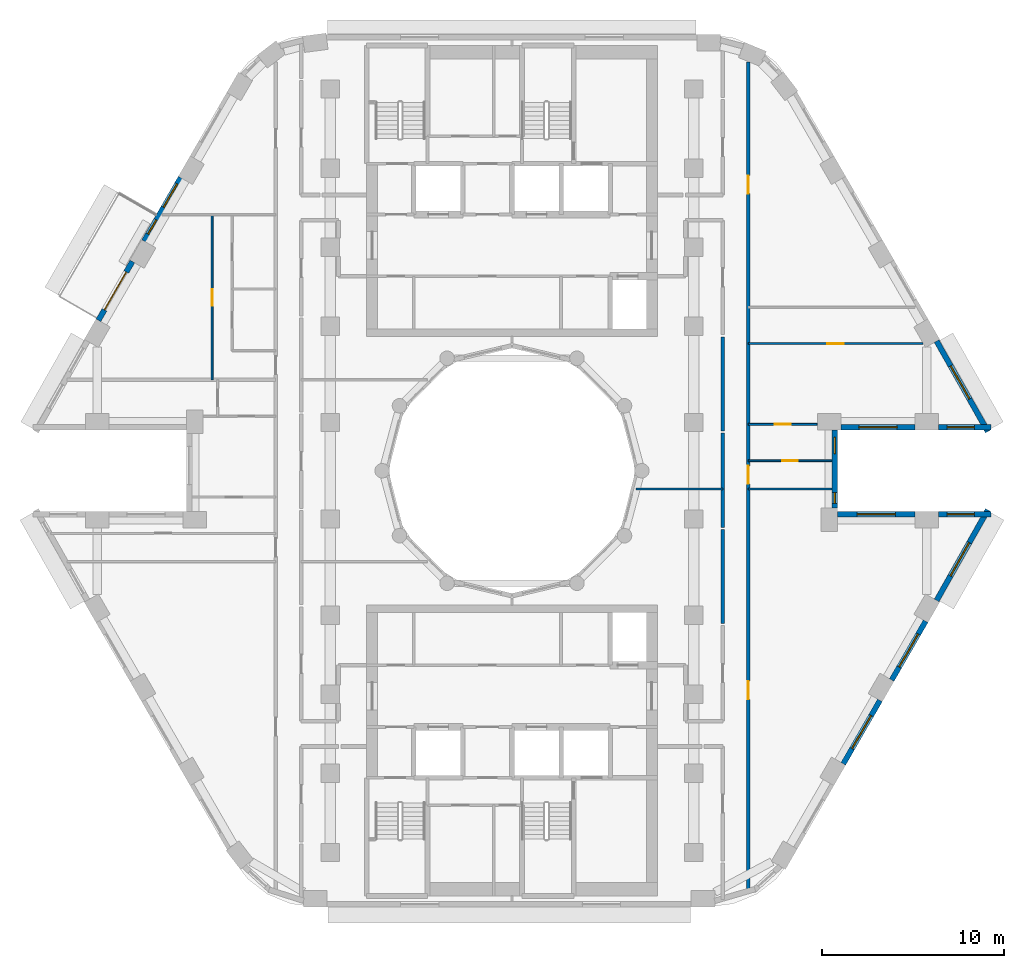
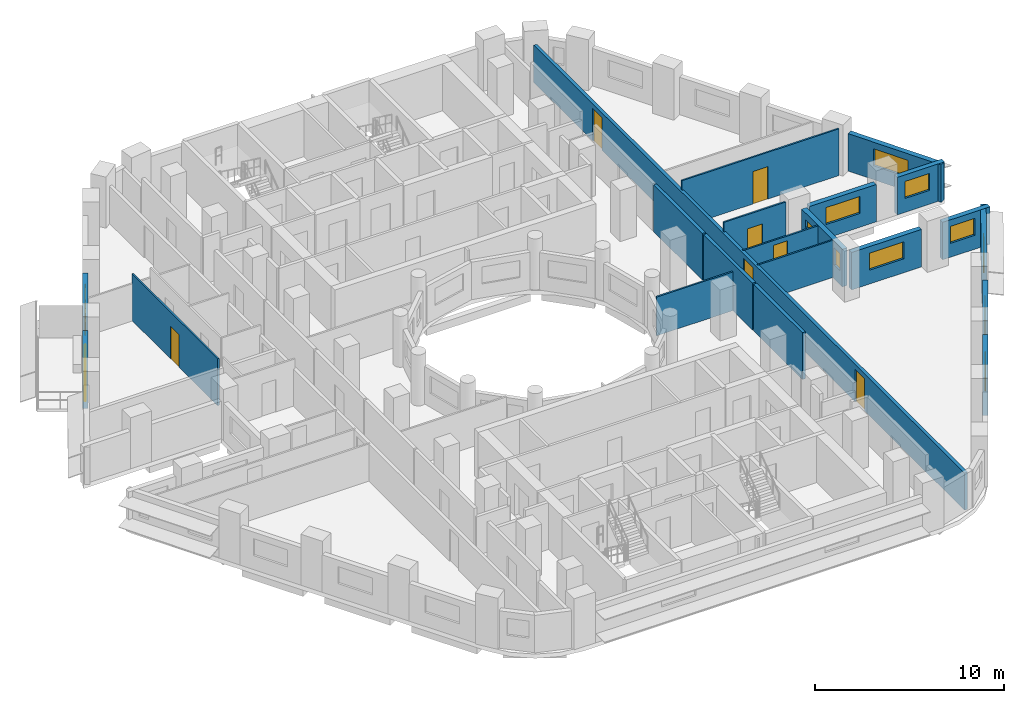
# One storey, part 6 of 13: 21 walls, 12 windows, 8 doors, 20 openings.
"""IFC4 building model written with IfcOpenShell, lengths in metres."""

from ifc_helpers import new_model, si_unit, direction, frame, frame_2d, origin, place, context, subcontext, project, spatial, rectangle, extrude, material, layer, layer_set, type_object, element, fill, save


model = new_model("IFC4")

# Units and contexts
model_context = context("Model", 3, precision=1e-05, world=origin(), true_north=direction((0.0, 1.0)))
body_context = subcontext(model_context, "Body", "Model", "MODEL_VIEW")
ifc_project = project(units=[si_unit("LENGTHUNIT", "METRE"), si_unit("AREAUNIT", "SQUARE_METRE"), si_unit("VOLUMEUNIT", "CUBIC_METRE"), si_unit("PLANEANGLEUNIT", "RADIAN"), si_unit("MASSUNIT", "GRAM", prefix="KILO")], contexts=[model_context])

# Site, building, storey
site_placement = place(None, origin())
site = spatial("IfcSite", under=ifc_project, at=site_placement, CompositionType="ELEMENT")
building_placement = place(site_placement, origin())
building = spatial("IfcBuilding", under=site, at=building_placement, Name="Nakaniwa Court", CompositionType="ELEMENT")
storey_placement = place(building_placement, frame((0.0, 0.0, 153.60009765625)))
storey = spatial("IfcBuildingStorey", under=building, at=storey_placement, Name="L40", CompositionType="ELEMENT", Elevation=153.60009765625)

# Walls
ifc_material_1 = material(Name="Acoustic double stud partition")
ifc_layer_1 = layer(ifc_material_1, 0.199951171875)
ifc_layer_set_1 = layer_set([ifc_layer_1], Name="Acoustic double stud partition")
wall_type_1 = type_object("IfcWallType", Name="Acoustic double stud partition 200", PredefinedType="PARTITIONING", material=ifc_layer_set_1)
for number, where, z_axis, x_axis, name in (
    (1, (91.60009765625, 71.587158203125, 0.0), (0.0, 0.0, 1.0), (0.0, 1.0, 0.0), "Partition PW-070"),
    (2, (91.60009765625, 76.88720703125, 0.0), (0.0, 0.0, 1.0), (0.0, 1.0, 0.0), "Partition PW-071"),
    (3, (91.60009765625, 82.187255859375, 0.0), (0.0, 0.0, 1.0), (0.0, 1.0, 0.0), "Partition PW-072"),
):
    element("IfcWall", number, at=place(storey_placement, frame(where, z_axis=z_axis, x_axis=x_axis)), inside=storey, type_object=wall_type_1, Name=name, PredefinedType="PARTITIONING", context=body_context, shape_type="SweptSolid", body=[
        extrude(rectangle(XDim=5.185546875, YDim=0.199951171875, at=frame_2d((2.5927734375, 0.0))), origin(), (0.0, 0.0, 1.0), 3.02490234375),
    ])

# Wall, openings, doors
wall_1_placement = place(storey_placement, frame((93.0, 102.498046875, 0.0), z_axis=(0.0, 0.0, 1.0), x_axis=(0.0, -1.0, 0.0)))
wall_1 = element("IfcWall", 4, at=wall_1_placement, inside=storey, type_object=wall_type_1, Name="Partition PW-080", PredefinedType="PARTITIONING", context=body_context, shape_type="SweptSolid", body=[
    extrude(rectangle(XDim=45.664794921875, YDim=0.199951171875, at=frame_2d((22.83251953125, 0.0))), origin(), (0.0, 0.0, 1.0), 2.40478515625),
])
opening_1_placement = place(wall_1_placement, frame((34.0810546875, 0.0, 0.0)))
opening_1 = element("IfcOpeningElement", 5, at=opening_1_placement, cuts=wall_1, Name="Opening D-02-02", PredefinedType="OPENING", context=body_context, shape_type="SweptSolid", body=[
    extrude(rectangle(XDim=1.0, YDim=2.10009765625, at=frame_2d((0.5, 1.050048828125))), frame((0.0, 0.10986328125, 0.0), z_axis=(0.0, -1.0, 0.0), x_axis=(1.0, 0.0, 0.0)), (0.0, 0.0, 1.0), 0.219970703125),
])
opening_2_placement = place(wall_1_placement, frame((22.222900390625, 0.0, 0.0)))
opening_2 = element("IfcOpeningElement", 6, at=opening_2_placement, cuts=wall_1, Name="Opening D-01-01", PredefinedType="OPENING", context=body_context, shape_type="SweptSolid", body=[
    extrude(rectangle(XDim=1.0, YDim=2.10009765625, at=frame_2d((0.5, 1.050048828125))), frame((0.0, 0.10986328125, 0.0), z_axis=(0.0, -1.0, 0.0), x_axis=(1.0, 0.0, 0.0)), (0.0, 0.0, 1.0), 0.219970703125),
])
opening_3_placement = place(wall_1_placement, frame((6.2509765625, 0.0, 0.0)))
opening_3 = element("IfcOpeningElement", 7, at=opening_3_placement, cuts=wall_1, Name="Opening D-02-04", PredefinedType="OPENING", context=body_context, shape_type="SweptSolid", body=[
    extrude(rectangle(XDim=1.0, YDim=2.10009765625, at=frame_2d((0.5, 1.050048828125))), frame((0.0, 0.10986328125, 0.0), z_axis=(0.0, -1.0, 0.0), x_axis=(1.0, 0.0, 0.0)), (0.0, 0.0, 1.0), 0.219970703125),
])
ifc_material_2 = material(Name="Solid core timber door set, black veneer", Category="wood")
door_type_1 = type_object("IfcDoorType", Name="Flat entrance door 1000", OperationType="NOTDEFINED", PredefinedType="DOOR", material=ifc_material_2)
door_1_placement = place(opening_2_placement, origin())
door_1 = element("IfcDoor", 8, at=door_1_placement, inside=storey, type_object=door_type_1, Name="Door D-01-01 L40-026", OperationType="SINGLE_SWING_LEFT", OverallHeight=2.10009765625, OverallWidth=1.0, PredefinedType="DOOR", context=body_context, shape_type="SweptSolid", body=[
    extrude(rectangle(XDim=1.0, YDim=2.10009765625, at=frame_2d((0.5, 1.050048828125))), frame((0.0, 0.02490234375, 0.0), z_axis=(0.0, -1.0, 0.0), x_axis=(1.0, 0.0, 0.0)), (0.0, 0.0, 1.0), 0.050048828125),
])
fill(opening_2, door_1)
door_type_2 = type_object("IfcDoorType", Name="Internal door 1000", OperationType="NOTDEFINED", PredefinedType="DOOR", material=ifc_material_2)
door_2_placement = place(opening_1_placement, origin())
door_2 = element("IfcDoor", 9, at=door_2_placement, inside=storey, type_object=door_type_2, Name="Door D-02-02 L40-024", OperationType="SINGLE_SWING_LEFT", OverallHeight=2.10009765625, OverallWidth=1.0, PredefinedType="DOOR", context=body_context, shape_type="SweptSolid", body=[
    extrude(rectangle(XDim=1.0, YDim=2.10009765625, at=frame_2d((0.5, 1.050048828125))), frame((0.0, 0.02490234375, 0.0), z_axis=(0.0, -1.0, 0.0), x_axis=(1.0, 0.0, 0.0)), (0.0, 0.0, 1.0), 0.050048828125),
])
fill(opening_1, door_2)
door_3_placement = place(opening_3_placement, origin())
door_3 = element("IfcDoor", 10, at=door_3_placement, inside=storey, type_object=door_type_2, Name="Door D-02-04 L40-030", OperationType="SINGLE_SWING_LEFT", OverallHeight=2.10009765625, OverallWidth=1.0, PredefinedType="DOOR", context=body_context, shape_type="SweptSolid", body=[
    extrude(rectangle(XDim=1.0, YDim=2.10009765625, at=frame_2d((0.5, 1.050048828125))), frame((0.0, 0.02490234375, 0.0), z_axis=(0.0, -1.0, 0.0), x_axis=(1.0, 0.0, 0.0)), (0.0, 0.0, 1.0), 0.050048828125),
])
fill(opening_3, door_3)

# Wall, opening, window
ifc_material_3 = material(Name="Charcoal ceramic cladding")
ifc_layer_2 = layer(ifc_material_3, 0.02, Name="Ceramic cladding")
ifc_material_4 = material(Name="Ventilated air cavity")
ifc_layer_3 = layer(ifc_material_4, 0.04, ventilated=True, Name="Ventilated cavity")
ifc_material_5 = material(Name="Mineral wool insulation")
ifc_layer_4 = layer(ifc_material_5, 0.1, Name="Insulation")
ifc_material_6 = material(Name="Cement bonded sheathing board")
ifc_layer_5 = layer(ifc_material_6, 0.012, Name="Sheathing")
ifc_material_7 = material(Name="Cold-formed galvanised stud frame with mineral wool infill")
ifc_layer_6 = layer(ifc_material_7, 0.1, Name="Stud frame")
ifc_material_8 = material(Name="Fire-rated gypsum plasterboard lining")
ifc_layer_7 = layer(ifc_material_8, 0.028, Name="Lining")
ifc_layer_set_2 = layer_set([ifc_layer_2, ifc_layer_3, ifc_layer_4, ifc_layer_5, ifc_layer_6, ifc_layer_7], Name="Charcoal ceramic faced external wall system")
wall_type_2 = type_object("IfcWallType", Name="Black ceramic faced external wall 300", PredefinedType="SOLIDWALL", material=ifc_layer_set_2)
wall_2_placement = place(storey_placement, frame((98.1044921875, 82.39990234375, 0.0), z_axis=(0.0, 0.0, 1.0), x_axis=(1.0, 0.0, 0.0)))
wall_2 = element("IfcWall", 11, at=wall_2_placement, inside=storey, type_object=wall_type_2, Name="L40 external wall 00", PredefinedType="SOLIDWALL", context=body_context, shape_type="SweptSolid", body=[
    extrude(rectangle(XDim=4.072509765625, YDim=0.300048828125, at=frame_2d((2.0361328125, 0.0))), origin(), (0.0, 0.0, 1.0), 2.4248046875),
])
opening_4_placement = place(wall_2_placement, frame((0.986083984375, 0.0, 0.89990234375)))
opening_4 = element("IfcOpeningElement", 12, at=opening_4_placement, cuts=wall_2, Name="Opening W7.01", PredefinedType="OPENING", context=body_context, shape_type="SweptSolid", body=[
    extrude(rectangle(XDim=2.10009765625, YDim=1.10009765625, at=frame_2d((1.050048828125, 0.550048828125))), frame((0.0, 0.159912109375, 0.0), z_axis=(0.0, -1.0, 0.0), x_axis=(1.0, 0.0, 0.0)), (0.0, 0.0, 1.0), 0.320068359375),
])
ifc_material_9 = material(Name="Black anodised aluminium frame with dark low-E laminated double glazing", Category="aluminium")
window_type_1 = type_object("IfcWindowType", Name="Dark glass window 2100x1100 sill 900", PartitioningType="SINGLE_PANEL", PredefinedType="WINDOW", material=ifc_material_9)
window_1_placement = place(opening_4_placement, origin())
window_1 = element("IfcWindow", 13, at=window_1_placement, inside=storey, type_object=window_type_1, Name="L40 living window 00-0", OverallHeight=1.10009765625, OverallWidth=2.10009765625, PartitioningType="SINGLE_PANEL", PredefinedType="WINDOW", context=body_context, shape_type="SweptSolid", body=[
    extrude(rectangle(XDim=2.10009765625, YDim=1.10009765625, at=frame_2d((1.050048828125, 0.550048828125))), frame((0.0, 0.030029296875, 0.0), z_axis=(0.0, -1.0, 0.0), x_axis=(1.0, 0.0, 0.0)), (0.0, 0.0, 1.0), 0.06005859375),
])
fill(opening_4, window_1)

wall_3_placement = place(storey_placement, frame((103.468994140625, 82.39990234375, 0.0), z_axis=(0.0, 0.0, 1.0), x_axis=(1.0, 0.0, 0.0)))
wall_3 = element("IfcWall", 14, at=wall_3_placement, inside=storey, type_object=wall_type_2, Name="L40 external wall 01", PredefinedType="SOLIDWALL", context=body_context, shape_type="SweptSolid", body=[
    extrude(rectangle(XDim=2.8876953125, YDim=0.300048828125, at=frame_2d((1.44384765625, 0.0))), origin(), (0.0, 0.0, 1.0), 2.4248046875),
])
opening_5_placement = place(wall_3_placement, frame((0.46875, 0.0, 0.89990234375)))
opening_5 = element("IfcOpeningElement", 15, at=opening_5_placement, cuts=wall_3, Name="Opening W5.02", PredefinedType="OPENING", context=body_context, shape_type="SweptSolid", body=[
    extrude(rectangle(XDim=1.5, YDim=1.10009765625, at=frame_2d((0.75, 0.550048828125))), frame((0.0, 0.159912109375, 0.0), z_axis=(0.0, -1.0, 0.0), x_axis=(1.0, 0.0, 0.0)), (0.0, 0.0, 1.0), 0.320068359375),
])
window_type_2 = type_object("IfcWindowType", Name="Dark glass window 1500x1100 sill 900", PartitioningType="SINGLE_PANEL", PredefinedType="WINDOW", material=ifc_material_9)
window_2_placement = place(opening_5_placement, origin())
window_2 = element("IfcWindow", 16, at=window_2_placement, inside=storey, type_object=window_type_2, Name="L40 living window 01-0", OverallHeight=1.10009765625, OverallWidth=1.5, PartitioningType="SINGLE_PANEL", PredefinedType="WINDOW", context=body_context, shape_type="SweptSolid", body=[
    extrude(rectangle(XDim=1.5, YDim=1.10009765625, at=frame_2d((0.75, 0.550048828125))), frame((0.0, 0.030029296875, 0.0), z_axis=(0.0, -1.0, 0.0), x_axis=(1.0, 0.0, 0.0)), (0.0, 0.0, 1.0), 0.06005859375),
])
fill(opening_5, window_2)

wall_4_placement = place(storey_placement, frame((106.18603515625, 82.1533203125, 0.0), z_axis=(0.0, 0.0, 1.0), x_axis=(-0.492498306264, 0.87031340236, 0.0)))
wall_4 = element("IfcWall", 17, at=wall_4_placement, inside=storey, type_object=wall_type_2, Name="L40 external wall 02", PredefinedType="SOLIDWALL", context=body_context, shape_type="SweptSolid", body=[
    extrude(rectangle(XDim=5.7265625, YDim=0.300048828125, at=frame_2d((2.86328125, 0.0))), origin(), (0.0, 0.0, 1.0), 2.4248046875),
])
opening_6_placement = place(wall_4_placement, frame((2.05859375, 0.0, 0.89990234375)))
opening_6 = element("IfcOpeningElement", 18, at=opening_6_placement, cuts=wall_4, Name="Opening W7.03", PredefinedType="OPENING", context=body_context, shape_type="SweptSolid", body=[
    extrude(rectangle(XDim=2.10009765625, YDim=1.10009765625, at=frame_2d((1.050048828125, 0.550048828125))), frame((0.0, 0.159912109375, 0.0), z_axis=(0.0, -1.0, 0.0), x_axis=(1.0, 0.0, 0.0)), (0.0, 0.0, 1.0), 0.320068359375),
])
window_3_placement = place(opening_6_placement, origin())
window_3 = element("IfcWindow", 19, at=window_3_placement, inside=storey, type_object=window_type_1, Name="L40 living window 02-0", OverallHeight=1.10009765625, OverallWidth=2.10009765625, PartitioningType="SINGLE_PANEL", PredefinedType="WINDOW", context=body_context, shape_type="SweptSolid", body=[
    extrude(rectangle(XDim=2.10009765625, YDim=1.10009765625, at=frame_2d((1.050048828125, 0.550048828125))), frame((0.0, 0.030029296875, 0.0), z_axis=(0.0, -1.0, 0.0), x_axis=(1.0, 0.0, 0.0)), (0.0, 0.0, 1.0), 0.06005859375),
])
fill(opening_6, window_3)

# Wall, openings, windows
wall_5_placement = place(storey_placement, frame((61.771728515625, 96.127685546875, 0.0), z_axis=(0.0, 0.0, 1.0), x_axis=(-0.500031546601, -0.86600718958, 0.0)))
wall_5 = element("IfcWall", 20, at=wall_5_placement, inside=storey, type_object=wall_type_2, Name="L40 external wall 12", PredefinedType="SOLIDWALL", context=body_context, shape_type="SweptSolid", body=[
    extrude(rectangle(XDim=4.033935546875, YDim=0.300048828125, at=frame_2d((2.01708984375, 0.0))), origin(), (0.0, 0.0, 1.0), 2.4248046875),
])
opening_7_placement = place(wall_5_placement, frame((0.393798828125, 0.0, 0.89990234375)))
opening_7 = element("IfcOpeningElement", 21, at=opening_7_placement, cuts=wall_5, Name="Opening W5.12", PredefinedType="OPENING", context=body_context, shape_type="SweptSolid", body=[
    extrude(rectangle(XDim=1.5, YDim=1.10009765625, at=frame_2d((0.75, 0.550048828125))), frame((0.0, 0.159912109375, 0.0), z_axis=(0.0, -1.0, 0.0), x_axis=(1.0, 0.0, 0.0)), (0.0, 0.0, 1.0), 0.320068359375),
])
opening_8_placement = place(wall_5_placement, frame((2.686279296875, 0.0, 0.89990234375)))
opening_8 = element("IfcOpeningElement", 22, at=opening_8_placement, cuts=wall_5, Name="Opening W9.13", PredefinedType="OPENING", context=body_context, shape_type="SweptSolid", body=[
    extrude(rectangle(XDim=0.89990234375, YDim=1.10009765625, at=frame_2d((0.449951171875, 0.550048828125))), frame((0.0, 0.159912109375, 0.0), z_axis=(0.0, -1.0, 0.0), x_axis=(1.0, 0.0, 0.0)), (0.0, 0.0, 1.0), 0.320068359375),
])
window_4_placement = place(opening_7_placement, origin())
window_4 = element("IfcWindow", 23, at=window_4_placement, inside=storey, type_object=window_type_2, Name="L40 habitable room window 12-0", OverallHeight=1.10009765625, OverallWidth=1.5, PartitioningType="SINGLE_PANEL", PredefinedType="WINDOW", context=body_context, shape_type="SweptSolid", body=[
    extrude(rectangle(XDim=1.5, YDim=1.10009765625, at=frame_2d((0.75, 0.550048828125))), frame((0.0, 0.030029296875, 0.0), z_axis=(0.0, -1.0, 0.0), x_axis=(1.0, 0.0, 0.0)), (0.0, 0.0, 1.0), 0.06005859375),
])
fill(opening_7, window_4)
window_type_3 = type_object("IfcWindowType", Name="Dark glass window 900x1100 sill 900", PartitioningType="SINGLE_PANEL", PredefinedType="WINDOW", material=ifc_material_9)
window_5_placement = place(opening_8_placement, origin())
window_5 = element("IfcWindow", 24, at=window_5_placement, inside=storey, type_object=window_type_3, Name="L40 living window 12-1", OverallHeight=1.10009765625, OverallWidth=0.89990234375, PartitioningType="SINGLE_PANEL", PredefinedType="WINDOW", context=body_context, shape_type="SweptSolid", body=[
    extrude(rectangle(XDim=0.89990234375, YDim=1.10009765625, at=frame_2d((0.449951171875, 0.550048828125))), frame((0.0, 0.030029296875, 0.0), z_axis=(0.0, -1.0, 0.0), x_axis=(1.0, 0.0, 0.0)), (0.0, 0.0, 1.0), 0.06005859375),
])
fill(opening_8, window_5)

# Wall, opening, door
wall_6_placement = place(storey_placement, frame((59.108642578125, 91.515380859375, 0.0), z_axis=(0.0, 0.0, 1.0), x_axis=(-0.499933594891, -0.866063739398, 0.0)))
wall_6 = element("IfcWall", 25, at=wall_6_placement, inside=storey, type_object=wall_type_2, Name="L40 external wall 13", PredefinedType="SOLIDWALL", context=body_context, shape_type="SweptSolid", body=[
    extrude(rectangle(XDim=3.73681640625, YDim=0.300048828125, at=frame_2d((1.868408203125, 0.0))), origin(), (0.0, 0.0, 1.0), 2.4248046875),
])
opening_9_placement = place(wall_6_placement, frame((0.66845703125, 0.0, 0.0)))
opening_9 = element("IfcOpeningElement", 26, at=opening_9_placement, cuts=wall_6, Name="Opening XD13.01", PredefinedType="OPENING", context=body_context, shape_type="SweptSolid", body=[
    extrude(rectangle(XDim=2.39990234375, YDim=2.0, at=frame_2d((1.199951171875, 1.0))), frame((0.0, 0.159912109375, 0.0), z_axis=(0.0, -1.0, 0.0), x_axis=(1.0, 0.0, 0.0)), (0.0, 0.0, 1.0), 0.320068359375),
])
ifc_material_10 = material(Name="Black powder-coated aluminium frame with dark laminated glass", Category="aluminium")
door_type_3 = type_object("IfcDoorType", Name="Balcony sliding door 2400x2000", OperationType="DOUBLE_DOOR_SLIDING", PredefinedType="DOOR", material=ifc_material_10)
door_4_placement = place(opening_9_placement, origin())
door_4 = element("IfcDoor", 27, at=door_4_placement, inside=storey, type_object=door_type_3, Name="L40 balcony sliding door 01", OperationType="DOUBLE_DOOR_SLIDING", OverallHeight=2.0, OverallWidth=2.39990234375, PredefinedType="DOOR", context=body_context, shape_type="SweptSolid", body=[
    extrude(rectangle(XDim=2.39990234375, YDim=2.0, at=frame_2d((1.199951171875, 1.0))), frame((0.0, 0.02490234375, 0.0), z_axis=(0.0, -1.0, 0.0), x_axis=(1.0, 0.0, 0.0)), (0.0, 0.0, 1.0), 0.050048828125),
])
fill(opening_9, door_4)

# Wall, opening, window
wall_7_placement = place(storey_placement, frame((98.228271484375, 63.872314453125, 0.0), z_axis=(0.0, 0.0, 1.0), x_axis=(0.500031546601, 0.86600718958, 0.0)))
wall_7 = element("IfcWall", 28, at=wall_7_placement, inside=storey, type_object=wall_type_2, Name="L40 external wall 30", PredefinedType="SOLIDWALL", context=body_context, shape_type="SweptSolid", body=[
    extrude(rectangle(XDim=4.033935546875, YDim=0.300048828125, at=frame_2d((2.01708984375, 0.0))), origin(), (0.0, 0.0, 1.0), 2.4248046875),
])
opening_10_placement = place(wall_7_placement, frame((0.967041015625, 0.0, 0.89990234375)))
opening_10 = element("IfcOpeningElement", 29, at=opening_10_placement, cuts=wall_7, Name="Opening W7.29", PredefinedType="OPENING", context=body_context, shape_type="SweptSolid", body=[
    extrude(rectangle(XDim=2.10009765625, YDim=1.10009765625, at=frame_2d((1.050048828125, 0.550048828125))), frame((0.0, 0.159912109375, 0.0), z_axis=(0.0, -1.0, 0.0), x_axis=(1.0, 0.0, 0.0)), (0.0, 0.0, 1.0), 0.320068359375),
])
window_6_placement = place(opening_10_placement, origin())
window_6 = element("IfcWindow", 30, at=window_6_placement, inside=storey, type_object=window_type_1, Name="L40 habitable room window 30-0", OverallHeight=1.10009765625, OverallWidth=2.10009765625, PartitioningType="SINGLE_PANEL", PredefinedType="WINDOW", context=body_context, shape_type="SweptSolid", body=[
    extrude(rectangle(XDim=2.10009765625, YDim=1.10009765625, at=frame_2d((1.050048828125, 0.550048828125))), frame((0.0, 0.030029296875, 0.0), z_axis=(0.0, -1.0, 0.0), x_axis=(1.0, 0.0, 0.0)), (0.0, 0.0, 1.0), 0.06005859375),
])
fill(opening_10, window_6)

wall_8_placement = place(storey_placement, frame((100.891357421875, 68.484619140625, 0.0), z_axis=(0.0, 0.0, 1.0), x_axis=(0.499933594891, 0.866063739398, 0.0)))
wall_8 = element("IfcWall", 31, at=wall_8_placement, inside=storey, type_object=wall_type_2, Name="L40 external wall 31", PredefinedType="SOLIDWALL", context=body_context, shape_type="SweptSolid", body=[
    extrude(rectangle(XDim=3.73681640625, YDim=0.300048828125, at=frame_2d((1.868408203125, 0.0))), origin(), (0.0, 0.0, 1.0), 2.4248046875),
])
opening_11_placement = place(wall_8_placement, frame((0.818359375, 0.0, 0.89990234375)))
opening_11 = element("IfcOpeningElement", 32, at=opening_11_placement, cuts=wall_8, Name="Opening W7.30", PredefinedType="OPENING", context=body_context, shape_type="SweptSolid", body=[
    extrude(rectangle(XDim=2.10009765625, YDim=1.10009765625, at=frame_2d((1.050048828125, 0.550048828125))), frame((0.0, 0.159912109375, 0.0), z_axis=(0.0, -1.0, 0.0), x_axis=(1.0, 0.0, 0.0)), (0.0, 0.0, 1.0), 0.320068359375),
])
window_7_placement = place(opening_11_placement, origin())
window_7 = element("IfcWindow", 33, at=window_7_placement, inside=storey, type_object=window_type_1, Name="L40 habitable room window 31-0", OverallHeight=1.10009765625, OverallWidth=2.10009765625, PartitioningType="SINGLE_PANEL", PredefinedType="WINDOW", context=body_context, shape_type="SweptSolid", body=[
    extrude(rectangle(XDim=2.10009765625, YDim=1.10009765625, at=frame_2d((1.050048828125, 0.550048828125))), frame((0.0, 0.030029296875, 0.0), z_axis=(0.0, -1.0, 0.0), x_axis=(1.0, 0.0, 0.0)), (0.0, 0.0, 1.0), 0.06005859375),
])
fill(opening_11, window_7)

wall_9_placement = place(storey_placement, frame((103.36572265625, 72.86279296875, 0.0), z_axis=(0.0, 0.0, 1.0), x_axis=(0.492498306264, 0.87031340236, 0.0)))
wall_9 = element("IfcWall", 34, at=wall_9_placement, inside=storey, type_object=wall_type_2, Name="L40 external wall 32", PredefinedType="SOLIDWALL", context=body_context, shape_type="SweptSolid", body=[
    extrude(rectangle(XDim=5.7265625, YDim=0.300048828125, at=frame_2d((2.86328125, 0.0))), origin(), (0.0, 0.0, 1.0), 2.4248046875),
])
opening_12_placement = place(wall_9_placement, frame((1.550048828125, 0.0, 0.89990234375)))
opening_12 = element("IfcOpeningElement", 35, at=opening_12_placement, cuts=wall_9, Name="Opening W7.31", PredefinedType="OPENING", context=body_context, shape_type="SweptSolid", body=[
    extrude(rectangle(XDim=2.10009765625, YDim=1.10009765625, at=frame_2d((1.050048828125, 0.550048828125))), frame((0.0, 0.159912109375, 0.0), z_axis=(0.0, -1.0, 0.0), x_axis=(1.0, 0.0, 0.0)), (0.0, 0.0, 1.0), 0.320068359375),
])
window_8_placement = place(opening_12_placement, origin())
window_8 = element("IfcWindow", 36, at=window_8_placement, inside=storey, type_object=window_type_1, Name="L40 habitable room window 32-0", OverallHeight=1.10009765625, OverallWidth=2.10009765625, PartitioningType="SINGLE_PANEL", PredefinedType="WINDOW", context=body_context, shape_type="SweptSolid", body=[
    extrude(rectangle(XDim=2.10009765625, YDim=1.10009765625, at=frame_2d((1.050048828125, 0.550048828125))), frame((0.0, 0.030029296875, 0.0), z_axis=(0.0, -1.0, 0.0), x_axis=(1.0, 0.0, 0.0)), (0.0, 0.0, 1.0), 0.06005859375),
])
fill(opening_12, window_8)

wall_10_placement = place(storey_placement, frame((106.356689453125, 77.60009765625, 0.0), z_axis=(0.0, 0.0, 1.0), x_axis=(-1.0, 0.0, 0.0)))
wall_10 = element("IfcWall", 37, at=wall_10_placement, inside=storey, type_object=wall_type_2, Name="L40 external wall 33", PredefinedType="SOLIDWALL", context=body_context, shape_type="SweptSolid", body=[
    extrude(rectangle(XDim=2.8876953125, YDim=0.300048828125, at=frame_2d((1.44384765625, 0.0))), origin(), (0.0, 0.0, 1.0), 2.4248046875),
])
opening_13_placement = place(wall_10_placement, frame((0.9189453125, 0.0, 0.89990234375)))
opening_13 = element("IfcOpeningElement", 38, at=opening_13_placement, cuts=wall_10, Name="Opening W5.32", PredefinedType="OPENING", context=body_context, shape_type="SweptSolid", body=[
    extrude(rectangle(XDim=1.5, YDim=1.10009765625, at=frame_2d((0.75, 0.550048828125))), frame((0.0, 0.159912109375, 0.0), z_axis=(0.0, -1.0, 0.0), x_axis=(1.0, 0.0, 0.0)), (0.0, 0.0, 1.0), 0.320068359375),
])
window_9_placement = place(opening_13_placement, origin())
window_9 = element("IfcWindow", 39, at=window_9_placement, inside=storey, type_object=window_type_2, Name="L40 habitable room window 33-0", OverallHeight=1.10009765625, OverallWidth=1.5, PartitioningType="SINGLE_PANEL", PredefinedType="WINDOW", context=body_context, shape_type="SweptSolid", body=[
    extrude(rectangle(XDim=1.5, YDim=1.10009765625, at=frame_2d((0.75, 0.550048828125))), frame((0.0, 0.030029296875, 0.0), z_axis=(0.0, -1.0, 0.0), x_axis=(1.0, 0.0, 0.0)), (0.0, 0.0, 1.0), 0.06005859375),
])
fill(opening_13, window_9)

wall_11_placement = place(storey_placement, frame((102.177001953125, 77.60009765625, 0.0), z_axis=(0.0, 0.0, 1.0), x_axis=(-1.0, 0.0, 0.0)))
wall_11 = element("IfcWall", 40, at=wall_11_placement, inside=storey, type_object=wall_type_2, Name="L40 external wall 34", PredefinedType="SOLIDWALL", context=body_context, shape_type="SweptSolid", body=[
    extrude(rectangle(XDim=4.272705078125, YDim=0.300048828125, at=frame_2d((2.13623046875, 0.0))), origin(), (0.0, 0.0, 1.0), 2.4248046875),
])
opening_14_placement = place(wall_11_placement, frame((1.086181640625, 0.0, 0.89990234375)))
opening_14 = element("IfcOpeningElement", 41, at=opening_14_placement, cuts=wall_11, Name="Opening W7.33", PredefinedType="OPENING", context=body_context, shape_type="SweptSolid", body=[
    extrude(rectangle(XDim=2.10009765625, YDim=1.10009765625, at=frame_2d((1.050048828125, 0.550048828125))), frame((0.0, 0.159912109375, 0.0), z_axis=(0.0, -1.0, 0.0), x_axis=(1.0, 0.0, 0.0)), (0.0, 0.0, 1.0), 0.320068359375),
])
window_10_placement = place(opening_14_placement, origin())
window_10 = element("IfcWindow", 42, at=window_10_placement, inside=storey, type_object=window_type_1, Name="L40 habitable room window 34-0", OverallHeight=1.10009765625, OverallWidth=2.10009765625, PartitioningType="SINGLE_PANEL", PredefinedType="WINDOW", context=body_context, shape_type="SweptSolid", body=[
    extrude(rectangle(XDim=2.10009765625, YDim=1.10009765625, at=frame_2d((1.050048828125, 0.550048828125))), frame((0.0, 0.030029296875, 0.0), z_axis=(0.0, -1.0, 0.0), x_axis=(1.0, 0.0, 0.0)), (0.0, 0.0, 1.0), 0.06005859375),
])
fill(opening_14, window_10)

# Wall, openings, windows
wall_12_placement = place(storey_placement, frame((97.75830078125, 77.946044921875, 0.0), z_axis=(0.0, 0.0, 1.0), x_axis=(0.0, 1.0, 0.0)))
wall_12 = element("IfcWall", 43, at=wall_12_placement, inside=storey, type_object=wall_type_2, Name="L40 external wall 35", PredefinedType="SOLIDWALL", context=body_context, shape_type="SweptSolid", body=[
    extrude(rectangle(XDim=4.307861328125, YDim=0.300048828125, at=frame_2d((2.15380859375, 0.0))), origin(), (0.0, 0.0, 1.0), 2.4248046875),
])
opening_15_placement = place(wall_12_placement, frame((0.251953125, 0.0, 0.89990234375)))
opening_15 = element("IfcOpeningElement", 44, at=opening_15_placement, cuts=wall_12, Name="Opening W8.34", PredefinedType="OPENING", context=body_context, shape_type="SweptSolid", body=[
    extrude(rectangle(XDim=0.60009765625, YDim=1.10009765625, at=frame_2d((0.300048828125, 0.550048828125))), frame((0.0, 0.159912109375, 0.0), z_axis=(0.0, -1.0, 0.0), x_axis=(1.0, 0.0, 0.0)), (0.0, 0.0, 1.0), 0.320068359375),
])
opening_16_placement = place(wall_12_placement, frame((2.993896484375, 0.0, 1.5)))
opening_16 = element("IfcOpeningElement", 45, at=opening_16_placement, cuts=wall_12, Name="Opening W10.35", PredefinedType="OPENING", context=body_context, shape_type="SweptSolid", body=[
    extrude(rectangle(XDim=0.89990234375, YDim=0.5, at=frame_2d((0.449951171875, 0.25))), frame((0.0, 0.159912109375, 0.0), z_axis=(0.0, -1.0, 0.0), x_axis=(1.0, 0.0, 0.0)), (0.0, 0.0, 1.0), 0.320068359375),
])
window_type_4 = type_object("IfcWindowType", Name="Dark glass window 600x1100 sill 900", PartitioningType="SINGLE_PANEL", PredefinedType="WINDOW", material=ifc_material_9)
window_11_placement = place(opening_15_placement, origin())
window_11 = element("IfcWindow", 46, at=window_11_placement, inside=storey, type_object=window_type_4, Name="L40 habitable room window 35-0", OverallHeight=1.10009765625, OverallWidth=0.60009765625, PartitioningType="SINGLE_PANEL", PredefinedType="WINDOW", context=body_context, shape_type="SweptSolid", body=[
    extrude(rectangle(XDim=0.60009765625, YDim=1.10009765625, at=frame_2d((0.300048828125, 0.550048828125))), frame((0.0, 0.030029296875, 0.0), z_axis=(0.0, -1.0, 0.0), x_axis=(1.0, 0.0, 0.0)), (0.0, 0.0, 1.0), 0.06005859375),
])
fill(opening_15, window_11)
window_type_5 = type_object("IfcWindowType", Name="Dark glass window 900x500 sill 1500", PartitioningType="SINGLE_PANEL", PredefinedType="WINDOW", material=ifc_material_9)
window_12_placement = place(opening_16_placement, origin())
window_12 = element("IfcWindow", 47, at=window_12_placement, inside=storey, type_object=window_type_5, Name="L40 bathroom window 35-2", OverallHeight=0.5, OverallWidth=0.89990234375, PartitioningType="SINGLE_PANEL", PredefinedType="WINDOW", context=body_context, shape_type="SweptSolid", body=[
    extrude(rectangle(XDim=0.89990234375, YDim=0.5, at=frame_2d((0.449951171875, 0.25))), frame((0.0, 0.030029296875, 0.0), z_axis=(0.0, -1.0, 0.0), x_axis=(1.0, 0.0, 0.0)), (0.0, 0.0, 1.0), 0.06005859375),
])
fill(opening_16, window_12)

# Walls
ifc_material_11 = material(Name="Single stud plasterboard partition")
ifc_layer_8 = layer(ifc_material_11, 0.10009765625)
ifc_layer_set_3 = layer_set([ifc_layer_8], Name="Single stud plasterboard partition")
wall_type_3 = type_object("IfcWallType", Name="Single stud plasterboard partition 100", PredefinedType="PARTITIONING", material=ifc_layer_set_3)
wall_13_placement = place(storey_placement, frame((86.833251953125, 79.0, 0.0), z_axis=(0.0, 0.0, 1.0), x_axis=(1.0, 0.0, 0.0)))
element("IfcWall", 48, at=wall_13_placement, inside=storey, type_object=wall_type_3, Name="Partition PW-115", PredefinedType="PARTITIONING", context=body_context, shape_type="SweptSolid", body=[
    extrude(rectangle(XDim=4.765869140625, YDim=0.10009765625, at=frame_2d((2.3828125, 0.0))), origin(), (0.0, 0.0, 1.0), 2.5048828125),
])
wall_14_placement = place(storey_placement, frame((93.0009765625, 79.0, 0.0), z_axis=(0.0, 0.0, 1.0), x_axis=(1.0, 0.0, 0.0)))
element("IfcWall", 49, at=wall_14_placement, inside=storey, type_object=wall_type_3, Name="Partition PW-116", PredefinedType="PARTITIONING", context=body_context, shape_type="SweptSolid", body=[
    extrude(rectangle(XDim=4.607421875, YDim=0.10009765625, at=frame_2d((2.3037109375, 0.0))), origin(), (0.0, 0.0, 1.0), 2.40478515625),
])

# Wall, opening, door
wall_15_placement = place(storey_placement, frame((93.0009765625, 80.550048828125, 0.0), z_axis=(0.0, 0.0, 1.0), x_axis=(1.0, 0.0, 0.0)))
wall_15 = element("IfcWall", 50, at=wall_15_placement, inside=storey, type_object=wall_type_3, Name="Partition PW-117", PredefinedType="PARTITIONING", context=body_context, shape_type="SweptSolid", body=[
    extrude(rectangle(XDim=4.607421875, YDim=0.10009765625, at=frame_2d((2.3037109375, 0.0))), origin(), (0.0, 0.0, 1.0), 2.40478515625),
])
opening_17_placement = place(wall_15_placement, frame((1.87890625, 0.0, 0.0)))
opening_17 = element("IfcOpeningElement", 51, at=opening_17_placement, cuts=wall_15, Name="Opening D-03-01", PredefinedType="OPENING", context=body_context, shape_type="SweptSolid", body=[
    extrude(rectangle(XDim=0.85009765625, YDim=2.10009765625, at=frame_2d((0.425048828125, 1.050048828125))), frame((0.0, 0.06005859375, 0.0), z_axis=(0.0, -1.0, 0.0), x_axis=(1.0, 0.0, 0.0)), (0.0, 0.0, 1.0), 0.1201171875),
])
ifc_material_12 = material(Name="Moisture sealed timber door set", Category="wood")
door_type_4 = type_object("IfcDoorType", Name="Bathroom door 850", OperationType="NOTDEFINED", PredefinedType="DOOR", material=ifc_material_12)
door_5_placement = place(opening_17_placement, origin())
door_5 = element("IfcDoor", 52, at=door_5_placement, inside=storey, type_object=door_type_4, Name="Door D-03-01 L40-027", OperationType="SINGLE_SWING_RIGHT", OverallHeight=2.10009765625, OverallWidth=0.85009765625, PredefinedType="DOOR", context=body_context, shape_type="SweptSolid", body=[
    extrude(rectangle(XDim=0.85009765625, YDim=2.10009765625, at=frame_2d((0.425048828125, 1.050048828125))), frame((0.0, 0.02490234375, 0.0), z_axis=(0.0, -1.0, 0.0), x_axis=(1.0, 0.0, 0.0)), (0.0, 0.0, 1.0), 0.050048828125),
])
fill(opening_17, door_5)

wall_16_placement = place(storey_placement, frame((93.0009765625, 82.551025390625, 0.0), z_axis=(0.0, 0.0, 1.0), x_axis=(1.0, 0.0, 0.0)))
wall_16 = element("IfcWall", 53, at=wall_16_placement, inside=storey, type_object=wall_type_3, Name="Partition PW-118", PredefinedType="PARTITIONING", context=body_context, shape_type="SweptSolid", body=[
    extrude(rectangle(XDim=3.787353515625, YDim=0.10009765625, at=frame_2d((1.8935546875, 0.0))), origin(), (0.0, 0.0, 1.0), 3.02490234375),
])
opening_18_placement = place(wall_16_placement, frame((1.444091796875, 0.0, 0.0)))
opening_18 = element("IfcOpeningElement", 54, at=opening_18_placement, cuts=wall_16, Name="Opening D-33-01", PredefinedType="OPENING", context=body_context, shape_type="SweptSolid", body=[
    extrude(rectangle(XDim=0.89990234375, YDim=2.10009765625, at=frame_2d((0.449951171875, 1.050048828125))), frame((0.0, 0.06005859375, 0.0), z_axis=(0.0, -1.0, 0.0), x_axis=(1.0, 0.0, 0.0)), (0.0, 0.0, 1.0), 0.1201171875),
])
door_type_5 = type_object("IfcDoorType", Name="Internal door 900", OperationType="NOTDEFINED", PredefinedType="DOOR", material=ifc_material_2)
door_6_placement = place(opening_18_placement, origin())
door_6 = element("IfcDoor", 55, at=door_6_placement, inside=storey, type_object=door_type_5, Name="Door D-33-01 L40-028", OperationType="SINGLE_SWING_LEFT", OverallHeight=2.10009765625, OverallWidth=0.89990234375, PredefinedType="DOOR", context=body_context, shape_type="SweptSolid", body=[
    extrude(rectangle(XDim=0.89990234375, YDim=2.10009765625, at=frame_2d((0.449951171875, 1.050048828125))), frame((0.0, 0.02490234375, 0.0), z_axis=(0.0, -1.0, 0.0), x_axis=(1.0, 0.0, 0.0)), (0.0, 0.0, 1.0), 0.050048828125),
])
fill(opening_18, door_6)

wall_17_placement = place(storey_placement, frame((93.0009765625, 86.9990234375, 0.0), z_axis=(0.0, 0.0, 1.0), x_axis=(1.0, 0.0, 0.0)))
wall_17 = element("IfcWall", 56, at=wall_17_placement, inside=storey, type_object=wall_type_3, Name="Partition PW-119", PredefinedType="PARTITIONING", context=body_context, shape_type="SweptSolid", body=[
    extrude(rectangle(XDim=9.60888671875, YDim=0.10009765625, at=frame_2d((4.804443359375, 0.0))), origin(), (0.0, 0.0, 1.0), 3.02490234375),
])
opening_19_placement = place(wall_17_placement, frame((4.35400390625, 0.0, 0.0)))
opening_19 = element("IfcOpeningElement", 57, at=opening_19_placement, cuts=wall_17, Name="Opening D-33-02", PredefinedType="OPENING", context=body_context, shape_type="SweptSolid", body=[
    extrude(rectangle(XDim=0.89990234375, YDim=2.10009765625, at=frame_2d((0.449951171875, 1.050048828125))), frame((0.0, 0.06005859375, 0.0), z_axis=(0.0, -1.0, 0.0), x_axis=(1.0, 0.0, 0.0)), (0.0, 0.0, 1.0), 0.1201171875),
])
door_7_placement = place(opening_19_placement, origin())
door_7 = element("IfcDoor", 58, at=door_7_placement, inside=storey, type_object=door_type_5, Name="Door D-33-02 L40-029", OperationType="SINGLE_SWING_RIGHT", OverallHeight=2.10009765625, OverallWidth=0.89990234375, PredefinedType="DOOR", context=body_context, shape_type="SweptSolid", body=[
    extrude(rectangle(XDim=0.89990234375, YDim=2.10009765625, at=frame_2d((0.449951171875, 1.050048828125))), frame((0.0, 0.02490234375, 0.0), z_axis=(0.0, -1.0, 0.0), x_axis=(1.0, 0.0, 0.0)), (0.0, 0.0, 1.0), 0.050048828125),
])
fill(opening_19, door_7)

wall_18_placement = place(storey_placement, frame((63.4990234375, 85.0, 0.0), z_axis=(0.0, 0.0, 1.0), x_axis=(0.0, 1.0, 0.0)))
wall_18 = element("IfcWall", 59, at=wall_18_placement, inside=storey, type_object=wall_type_3, Name="Partition PW-133", PredefinedType="PARTITIONING", context=body_context, shape_type="SweptSolid", body=[
    extrude(rectangle(XDim=9.083251953125, YDim=0.10009765625, at=frame_2d((4.54150390625, 0.0))), origin(), (0.0, 0.0, 1.0), 3.02490234375),
])
opening_20_placement = place(wall_18_placement, frame((4.092041015625, 0.0, 0.0)))
opening_20 = element("IfcOpeningElement", 60, at=opening_20_placement, cuts=wall_18, Name="Opening D-33-07", PredefinedType="OPENING", context=body_context, shape_type="SweptSolid", body=[
    extrude(rectangle(XDim=0.89990234375, YDim=2.10009765625, at=frame_2d((0.449951171875, 1.050048828125))), frame((0.0, 0.06005859375, 0.0), z_axis=(0.0, -1.0, 0.0), x_axis=(1.0, 0.0, 0.0)), (0.0, 0.0, 1.0), 0.1201171875),
])
door_8_placement = place(opening_20_placement, origin())
door_8 = element("IfcDoor", 61, at=door_8_placement, inside=storey, type_object=door_type_5, Name="Door D-33-07 L40-044", OperationType="SINGLE_SWING_LEFT", OverallHeight=2.10009765625, OverallWidth=0.89990234375, PredefinedType="DOOR", context=body_context, shape_type="SweptSolid", body=[
    extrude(rectangle(XDim=0.89990234375, YDim=2.10009765625, at=frame_2d((0.449951171875, 1.050048828125))), frame((0.0, 0.02490234375, 0.0), z_axis=(0.0, -1.0, 0.0), x_axis=(1.0, 0.0, 0.0)), (0.0, 0.0, 1.0), 0.050048828125),
])
fill(opening_20, door_8)

save(model, "model.ifc")
